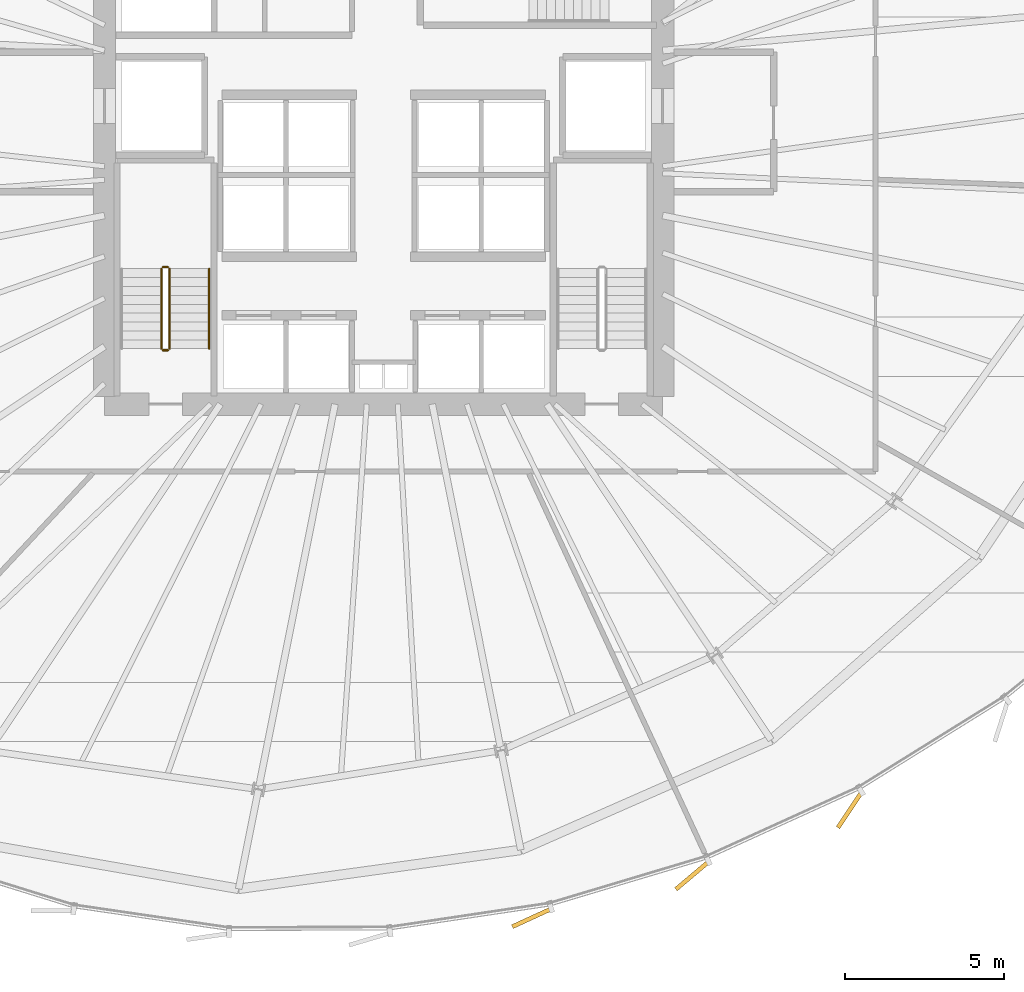
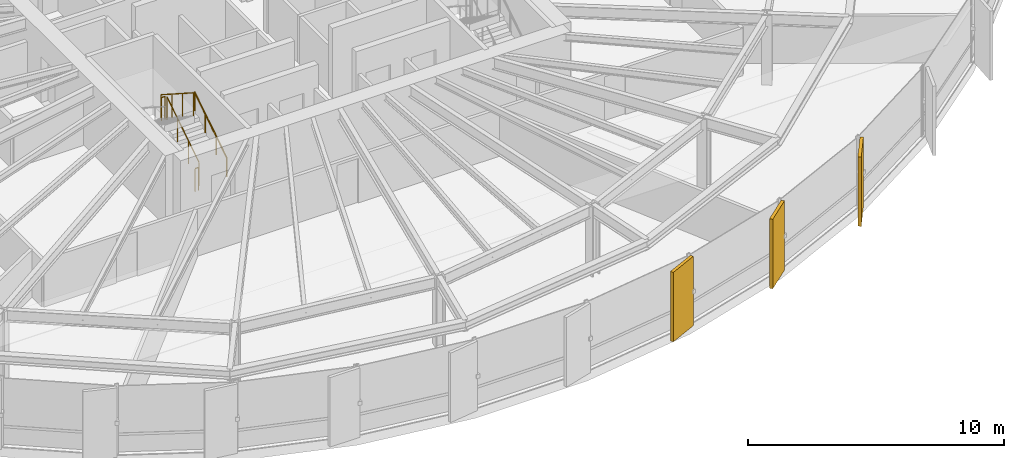
# One storey, part 33 of 35: 5 railings, 3 coverings.
"""IFC4 building model written with IfcOpenShell, lengths in metres."""

from ifc_helpers import new_model, si_unit, direction, frame, origin, origin_2d, place, context, subcontext, project, spatial, rectangle, circle, extrude, source, transform, mapped, material, layer, layer_set, type_object, element, save


model = new_model("IFC4")

# Units and contexts
model_context = context("Model", 3, precision=1e-05, world=origin(), true_north=direction((0.0, 1.0)))
body_context = subcontext(model_context, "Body", "Model", "MODEL_VIEW")
ifc_project = project(units=[si_unit("LENGTHUNIT", "METRE"), si_unit("AREAUNIT", "SQUARE_METRE"), si_unit("VOLUMEUNIT", "CUBIC_METRE"), si_unit("PLANEANGLEUNIT", "RADIAN"), si_unit("MASSUNIT", "GRAM", prefix="KILO"), si_unit("THERMODYNAMICTEMPERATUREUNIT", "KELVIN")], contexts=[model_context])

# Site, building, storey
site_placement = place(None, origin())
site = spatial("IfcSite", under=ifc_project, at=site_placement, CompositionType="ELEMENT")
building_placement = place(site_placement, origin())
building = spatial("IfcBuilding", under=site, at=building_placement, Name="Kethvar Cultural Tower", CompositionType="ELEMENT")
storey_placement = place(building_placement, frame((0.0, 0.0, 85.60009765625)))
storey = spatial("IfcBuildingStorey", under=building, at=storey_placement, Name="L20", CompositionType="ELEMENT", Elevation=85.60009765625)

# Railings
ifc_material_1 = material(Name="Steel S355J2", Category="steel")
railing_type_1 = type_object("IfcRailingType", Name="RL-STAIR-GUARD", PredefinedType="BALUSTRADE", material=ifc_material_1)
railing_1_placement = place(storey_placement, frame((40.050048828125, 21.85009765625, 0.179931640625)))
element("IfcRailing", 1, at=railing_1_placement, inside=storey, type_object=railing_type_1, Name="L20 ST-01 stair guard 1", PredefinedType="BALUSTRADE", context=body_context, shape_type="SweptSolid", body=[
    extrude(circle(Radius=0.02392578125, at=origin_2d()), frame((0.0, 0.0, 1.09619140625), z_axis=(0.0, 0.841199657755, 0.540724639528), x_axis=(-1.0, 0.0, 0.0)), (0.0, 0.0, 1.0), 2.995849609375),
    extrude(circle(Radius=0.02099609375, at=origin_2d()), origin(), (0.0, 0.0, 1.0), 1.072021484375),
    extrude(circle(Radius=0.02099609375, at=origin_2d()), frame((0.0, 0.840087890625, 0.5400390625)), (0.0, 0.0, 1.0), 1.072021484375),
    extrude(circle(Radius=0.02099609375, at=origin_2d()), frame((0.0, 1.679931640625, 1.079833984375)), (0.0, 0.0, 1.0), 1.072021484375),
    extrude(circle(Radius=0.02099609375, at=origin_2d()), frame((0.0, 2.52001953125, 1.619873046875)), (0.0, 0.0, 1.0), 1.072021484375),
])
railing_2_placement = place(storey_placement, frame((40.0, 24.419921875, 1.7998046875)))
element("IfcRailing", 2, at=railing_2_placement, inside=storey, type_object=railing_type_1, Name="L20 ST-01 stair guard 2", PredefinedType="BALUSTRADE", context=body_context, shape_type="SweptSolid", body=[
    extrude(circle(Radius=0.02392578125, at=origin_2d()), frame((0.0, 0.0, 1.09619140625), z_axis=(-1.0, 0.0, 0.0), x_axis=(0.0, -1.0, 0.0)), (0.0, 0.0, 1.0), 0.159912109375),
    extrude(circle(Radius=0.02099609375, at=origin_2d()), origin(), (0.0, 0.0, 1.0), 1.072021484375),
    extrude(circle(Radius=0.02099609375, at=origin_2d()), frame((-0.159912109375, 0.0, 0.0)), (0.0, 0.0, 1.0), 1.072021484375),
])
railing_3_placement = place(storey_placement, frame((39.7900390625, 24.3701171875, 1.97998046875)))
element("IfcRailing", 3, at=railing_3_placement, inside=storey, type_object=railing_type_1, Name="L20 ST-01 stair guard 3", PredefinedType="BALUSTRADE", context=body_context, shape_type="SweptSolid", body=[
    extrude(circle(Radius=0.02392578125, at=origin_2d()), frame((0.0, 0.0, 1.09619140625), z_axis=(0.0, -0.841199657755, 0.540724639528), x_axis=(1.0, 0.0, 0.0)), (0.0, 0.0, 1.0), 2.995849609375),
    extrude(circle(Radius=0.02099609375, at=origin_2d()), origin(), (0.0, 0.0, 1.0), 1.072021484375),
    extrude(circle(Radius=0.02099609375, at=origin_2d()), frame((0.0, -0.840087890625, 0.5400390625)), (0.0, 0.0, 1.0), 1.072021484375),
    extrude(circle(Radius=0.02099609375, at=origin_2d()), frame((0.0, -1.679931640625, 1.079833984375)), (0.0, 0.0, 1.0), 1.072021484375),
    extrude(circle(Radius=0.02099609375, at=origin_2d()), frame((0.0, -2.52001953125, 1.619873046875)), (0.0, 0.0, 1.0), 1.072021484375),
])
railing_4_placement = place(storey_placement, frame((40.0, 21.800048828125, 0.0)))
element("IfcRailing", 4, at=railing_4_placement, inside=storey, type_object=railing_type_1, Name="L20 ST-01 stair guard 4", PredefinedType="BALUSTRADE", context=body_context, shape_type="SweptSolid", body=[
    extrude(circle(Radius=0.02392578125, at=origin_2d()), frame((0.0, 0.0, 1.09619140625), z_axis=(-1.0, 0.0, 0.0), x_axis=(0.0, -1.0, 0.0)), (0.0, 0.0, 1.0), 0.159912109375),
    extrude(circle(Radius=0.02099609375, at=origin_2d()), origin(), (0.0, 0.0, 1.0), 1.072021484375),
    extrude(circle(Radius=0.02099609375, at=origin_2d()), frame((-0.159912109375, 0.0, 0.0)), (0.0, 0.0, 1.0), 1.072021484375),
])
railing_type_2 = type_object("IfcRailingType", Name="RL-STAIR-HANDRAIL", PredefinedType="HANDRAIL", material=ifc_material_1)
railing_5_placement = place(storey_placement, frame((41.300048828125, 21.85009765625, 0.179931640625)))
element("IfcRailing", 5, at=railing_5_placement, inside=storey, type_object=railing_type_2, Name="L20 ST-01 stair handrail 1", PredefinedType="HANDRAIL", context=body_context, shape_type="SweptSolid", body=[
    extrude(circle(Radius=0.02392578125, at=origin_2d()), frame((0.0, 0.0, 0.8759765625), z_axis=(0.0, 0.841199657755, 0.540724639528), x_axis=(-1.0, 0.0, 0.0)), (0.0, 0.0, 1.0), 2.995849609375),
    extrude(circle(Radius=0.02099609375, at=origin_2d()), origin(), (0.0, 0.0, 1.0), 0.851806640625),
    extrude(circle(Radius=0.02099609375, at=origin_2d()), frame((0.0, 0.840087890625, 0.5400390625)), (0.0, 0.0, 1.0), 0.851806640625),
    extrude(circle(Radius=0.02099609375, at=origin_2d()), frame((0.0, 1.679931640625, 1.079833984375)), (0.0, 0.0, 1.0), 0.851806640625),
    extrude(circle(Radius=0.02099609375, at=origin_2d()), frame((0.0, 2.52001953125, 1.619873046875)), (0.0, 0.0, 1.0), 0.851806640625),
])

# Coverings
ifc_material_2 = material(Name="Extruded Architectural Terracotta", Category="masonry")
ifc_layer = layer(ifc_material_2, 0.135009765625, Name="Extruded Architectural Terracotta", Category="masonry")
ifc_layer_set = layer_set([ifc_layer], Name="Extruded Architectural Terracotta (135 mm)")
covering_type = type_object("IfcCoveringType", Name="Terracotta Facade Fin FIN-02", PredefinedType="CLADDING", material=ifc_layer_set)
shared_shape = source(origin(), body_context, "Body", "SweptSolid", [
    extrude(rectangle(XDim=1.35009765625, YDim=0.135009765625, at=origin_2d()), origin(), (0.0, 0.0, 1.0), 3.31005859375),
])
for number, where, z_axis, x_axis, name in (
    (6, (51.470947265625, 3.903076171875, 0.019775390625), (0.0, 0.0, 1.0), (-0.908799682356, -0.417232713662, 0.0), "L20 Vertical Terracotta Fin 5.4"),
    (7, (56.53369140625, 5.23681640625, 0.019775390625), (0.0, 0.0, 1.0), (-0.764808968487, -0.64425712392, 0.0), "L20 Vertical Terracotta Fin 5.5"),
    (8, (61.500732421875, 7.305419921875, 0.019775390625), (0.0, 0.0, 1.0), (-0.553246168635, -0.833017813069, 0.0), "L20 Vertical Terracotta Fin 5.6"),
):
    element("IfcCovering", number, at=place(storey_placement, frame(where, z_axis=z_axis, x_axis=x_axis)), inside=storey, type_object=covering_type, Name=name, PredefinedType="CLADDING", context=body_context, shape_type="MappedRepresentation", body=[
        mapped(shared_shape, transform((0.0, 0.0, 0.0), scale=1.0)),
    ])

save(model, "model.ifc")
